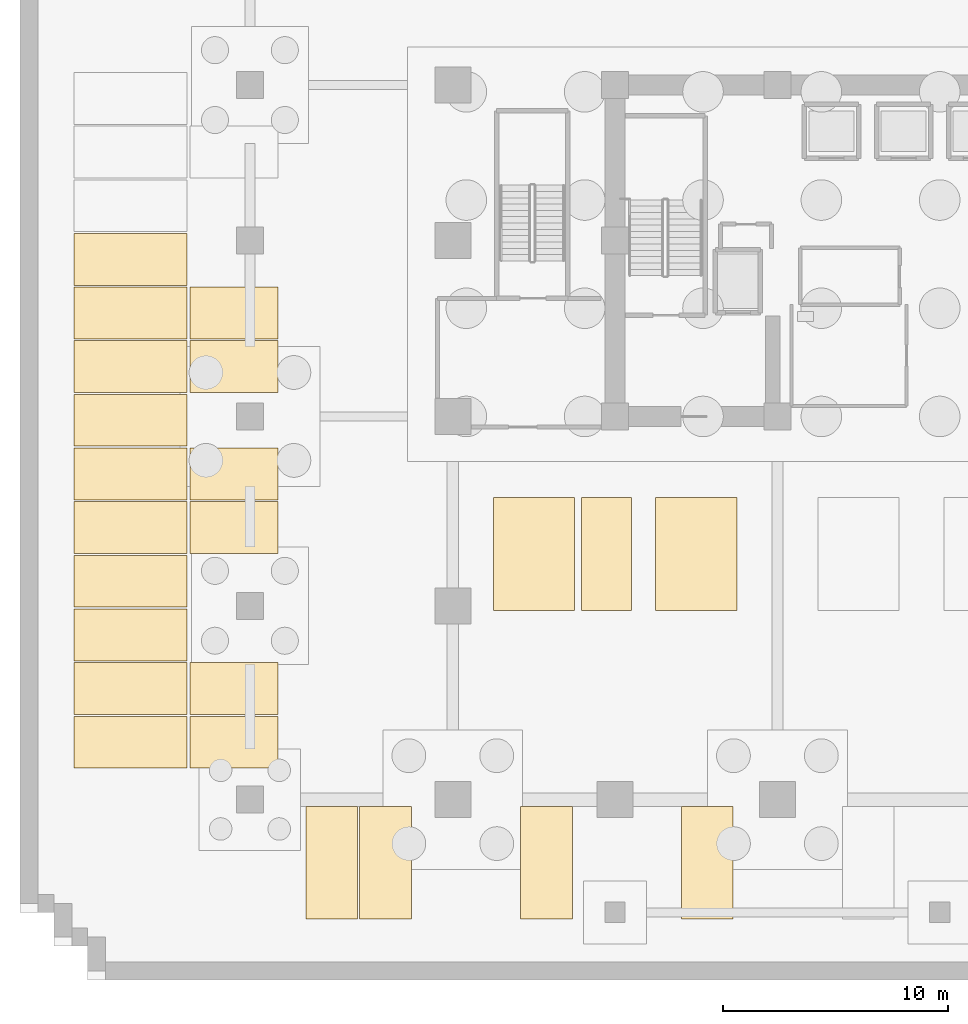
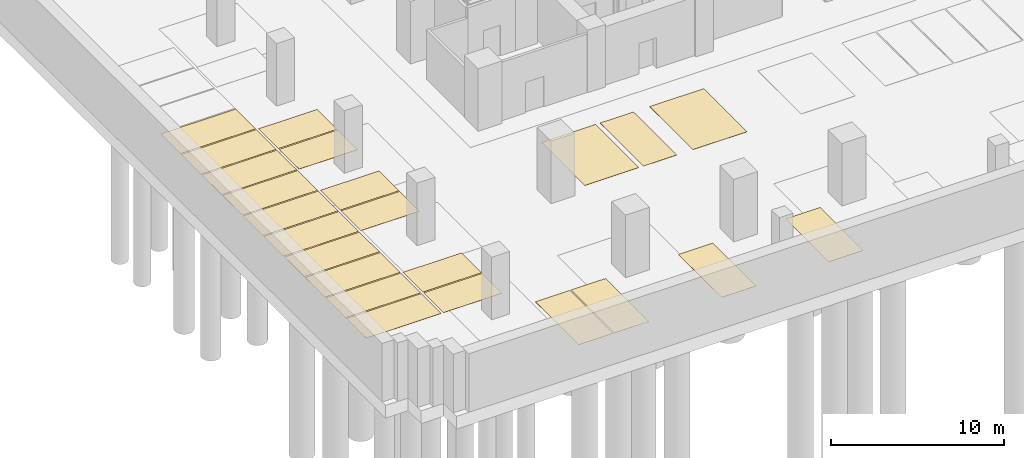
# One storey, part 7 of 13: 23 coverings.
"""IFC4 building model written with IfcOpenShell, lengths in metres."""

from ifc_helpers import new_model, si_unit, direction, frame, origin, place, context, subcontext, project, spatial, polyline, outline, extrude, material, layer, layer_set, type_object, element, save


model = new_model("IFC4")

# Units and contexts
model_context = context("Model", 3, precision=1e-05, world=origin(), true_north=direction((0.0, 1.0)))
body_context = subcontext(model_context, "Body", "Model", "MODEL_VIEW")
ifc_project = project(units=[si_unit("LENGTHUNIT", "METRE"), si_unit("AREAUNIT", "SQUARE_METRE"), si_unit("VOLUMEUNIT", "CUBIC_METRE"), si_unit("PLANEANGLEUNIT", "RADIAN"), si_unit("MASSUNIT", "GRAM", prefix="KILO")], contexts=[model_context])

# Site, building, storey
site_placement = place(None, origin())
site = spatial("IfcSite", under=ifc_project, at=site_placement, CompositionType="ELEMENT")
building_placement = place(site_placement, origin())
building = spatial("IfcBuilding", under=site, at=building_placement, Name="Zarnakvel Exchange Tower", CompositionType="ELEMENT")
storey_placement = place(building_placement, frame((0.0, 0.0, -13.199951171875)))
storey = spatial("IfcBuildingStorey", under=building, at=storey_placement, Name="B03", CompositionType="ELEMENT", Elevation=-13.199951171875)

# Coverings
ifc_material = material(Name="Thermoplastic Acrylic Bay Marking", Category="finish")
ifc_layer_1 = layer(ifc_material, 0.010009765625)
ifc_layer_set_1 = layer_set([ifc_layer_1], Name="Thermoplastic Acrylic Bay Marking")
covering_type_1 = type_object("IfcCoveringType", Name="MK-01", PredefinedType="FLOORING", material=ifc_layer_set_1)
covering_1_placement = place(storey_placement, origin())
element("IfcCovering", 1, at=covering_1_placement, inside=storey, type_object=covering_type_1, Name="B03 Standard Parking Bay Marking B03-04", PredefinedType="FLOORING", context=body_context, shape_type="SweptSolid", body=[
    extrude(outline(polyline([(-28.1201171875, -23.5), (-25.820068359375, -23.5), (-25.820068359375, -18.5), (-28.1201171875, -18.5), (-28.1201171875, -23.5)])), origin(), (0.0, 0.0, 1.0), 0.010009765625),
])
covering_2_placement = place(storey_placement, origin())
element("IfcCovering", 2, at=covering_2_placement, inside=storey, type_object=covering_type_1, Name="B03 Standard Parking Bay Marking B03-05", PredefinedType="FLOORING", context=body_context, shape_type="SweptSolid", body=[
    extrude(outline(polyline([(-25.739990234375, -23.5), (-23.43994140625, -23.5), (-23.43994140625, -18.5), (-25.739990234375, -18.5), (-25.739990234375, -23.5)])), origin(), (0.0, 0.0, 1.0), 0.010009765625),
])
covering_3_placement = place(storey_placement, origin())
element("IfcCovering", 3, at=covering_3_placement, inside=storey, type_object=covering_type_1, Name="B03 Standard Parking Bay Marking B03-06", PredefinedType="FLOORING", context=body_context, shape_type="SweptSolid", body=[
    extrude(outline(polyline([(-18.60009765625, -23.5), (-16.300048828125, -23.5), (-16.300048828125, -18.5), (-18.60009765625, -18.5), (-18.60009765625, -23.5)])), origin(), (0.0, 0.0, 1.0), 0.010009765625),
])
covering_4_placement = place(storey_placement, origin())
element("IfcCovering", 4, at=covering_4_placement, inside=storey, type_object=covering_type_1, Name="B03 Standard Parking Bay Marking B03-07", PredefinedType="FLOORING", context=body_context, shape_type="SweptSolid", body=[
    extrude(outline(polyline([(-11.4599609375, -23.5), (-9.159912109375, -23.5), (-9.159912109375, -18.5), (-11.4599609375, -18.5), (-11.4599609375, -23.5)])), origin(), (0.0, 0.0, 1.0), 0.010009765625),
])
covering_5_placement = place(storey_placement, origin())
element("IfcCovering", 5, at=covering_5_placement, inside=storey, type_object=covering_type_1, Name="B03 Standard Parking Bay Marking B03-14", PredefinedType="FLOORING", context=body_context, shape_type="SweptSolid", body=[
    extrude(outline(polyline([(-15.89990234375, -9.800048828125), (-13.679931640625, -9.800048828125), (-13.679931640625, -4.800048828125), (-15.89990234375, -4.800048828125), (-15.89990234375, -9.800048828125)])), origin(), (0.0, 0.0, 1.0), 0.010009765625),
])
covering_6_placement = place(storey_placement, origin())
element("IfcCovering", 6, at=covering_6_placement, inside=storey, type_object=covering_type_1, Name="B03 Standard Parking Bay Marking B03-23", PredefinedType="FLOORING", context=body_context, shape_type="SweptSolid", body=[
    extrude(outline(polyline([(-38.39990234375, -16.800048828125), (-33.39990234375, -16.800048828125), (-33.39990234375, -14.5), (-38.39990234375, -14.5), (-38.39990234375, -16.800048828125)])), origin(), (0.0, 0.0, 1.0), 0.010009765625),
])
covering_7_placement = place(storey_placement, origin())
element("IfcCovering", 7, at=covering_7_placement, inside=storey, type_object=covering_type_1, Name="B03 Standard Parking Bay Marking B03-24", PredefinedType="FLOORING", context=body_context, shape_type="SweptSolid", body=[
    extrude(outline(polyline([(-38.39990234375, -14.419921875), (-33.39990234375, -14.419921875), (-33.39990234375, -12.1201171875), (-38.39990234375, -12.1201171875), (-38.39990234375, -14.419921875)])), origin(), (0.0, 0.0, 1.0), 0.010009765625),
])
covering_8_placement = place(storey_placement, origin())
element("IfcCovering", 8, at=covering_8_placement, inside=storey, type_object=covering_type_1, Name="B03 Standard Parking Bay Marking B03-25", PredefinedType="FLOORING", context=body_context, shape_type="SweptSolid", body=[
    extrude(outline(polyline([(-38.39990234375, -12.0400390625), (-33.39990234375, -12.0400390625), (-33.39990234375, -9.739990234375), (-38.39990234375, -9.739990234375), (-38.39990234375, -12.0400390625)])), origin(), (0.0, 0.0, 1.0), 0.010009765625),
])
covering_9_placement = place(storey_placement, origin())
element("IfcCovering", 9, at=covering_9_placement, inside=storey, type_object=covering_type_1, Name="B03 Standard Parking Bay Marking B03-26", PredefinedType="FLOORING", context=body_context, shape_type="SweptSolid", body=[
    extrude(outline(polyline([(-38.39990234375, -9.659912109375), (-33.39990234375, -9.659912109375), (-33.39990234375, -7.360107421875), (-38.39990234375, -7.360107421875), (-38.39990234375, -9.659912109375)])), origin(), (0.0, 0.0, 1.0), 0.010009765625),
])
covering_10_placement = place(storey_placement, origin())
element("IfcCovering", 10, at=covering_10_placement, inside=storey, type_object=covering_type_1, Name="B03 Standard Parking Bay Marking B03-27", PredefinedType="FLOORING", context=body_context, shape_type="SweptSolid", body=[
    extrude(outline(polyline([(-38.39990234375, -7.280029296875), (-33.39990234375, -7.280029296875), (-33.39990234375, -4.97998046875), (-38.39990234375, -4.97998046875), (-38.39990234375, -7.280029296875)])), origin(), (0.0, 0.0, 1.0), 0.010009765625),
])
covering_11_placement = place(storey_placement, origin())
element("IfcCovering", 11, at=covering_11_placement, inside=storey, type_object=covering_type_1, Name="B03 Standard Parking Bay Marking B03-28", PredefinedType="FLOORING", context=body_context, shape_type="SweptSolid", body=[
    extrude(outline(polyline([(-38.39990234375, -4.89990234375), (-33.39990234375, -4.89990234375), (-33.39990234375, -2.60009765625), (-38.39990234375, -2.60009765625), (-38.39990234375, -4.89990234375)])), origin(), (0.0, 0.0, 1.0), 0.010009765625),
])
covering_12_placement = place(storey_placement, origin())
element("IfcCovering", 12, at=covering_12_placement, inside=storey, type_object=covering_type_1, Name="B03 Standard Parking Bay Marking B03-29", PredefinedType="FLOORING", context=body_context, shape_type="SweptSolid", body=[
    extrude(outline(polyline([(-38.39990234375, -2.52001953125), (-33.39990234375, -2.52001953125), (-33.39990234375, -0.219970703125), (-38.39990234375, -0.219970703125), (-38.39990234375, -2.52001953125)])), origin(), (0.0, 0.0, 1.0), 0.010009765625),
])
covering_13_placement = place(storey_placement, origin())
element("IfcCovering", 13, at=covering_13_placement, inside=storey, type_object=covering_type_1, Name="B03 Standard Parking Bay Marking B03-30", PredefinedType="FLOORING", context=body_context, shape_type="SweptSolid", body=[
    extrude(outline(polyline([(-38.39990234375, -0.139892578125), (-33.39990234375, -0.139892578125), (-33.39990234375, 2.159912109375), (-38.39990234375, 2.159912109375), (-38.39990234375, -0.139892578125)])), origin(), (0.0, 0.0, 1.0), 0.010009765625),
])
covering_14_placement = place(storey_placement, origin())
element("IfcCovering", 14, at=covering_14_placement, inside=storey, type_object=covering_type_1, Name="B03 Standard Parking Bay Marking B03-31", PredefinedType="FLOORING", context=body_context, shape_type="SweptSolid", body=[
    extrude(outline(polyline([(-38.39990234375, 2.239990234375), (-33.39990234375, 2.239990234375), (-33.39990234375, 4.5400390625), (-38.39990234375, 4.5400390625), (-38.39990234375, 2.239990234375)])), origin(), (0.0, 0.0, 1.0), 0.010009765625),
])
covering_15_placement = place(storey_placement, origin())
element("IfcCovering", 15, at=covering_15_placement, inside=storey, type_object=covering_type_1, Name="B03 Standard Parking Bay Marking B03-32", PredefinedType="FLOORING", context=body_context, shape_type="SweptSolid", body=[
    extrude(outline(polyline([(-38.39990234375, 4.6201171875), (-33.39990234375, 4.6201171875), (-33.39990234375, 6.919921875), (-38.39990234375, 6.919921875), (-38.39990234375, 4.6201171875)])), origin(), (0.0, 0.0, 1.0), 0.010009765625),
])
covering_16_placement = place(storey_placement, origin())
element("IfcCovering", 16, at=covering_16_placement, inside=storey, type_object=covering_type_1, Name="B03 Standard Parking Bay Marking B03-38", PredefinedType="FLOORING", context=body_context, shape_type="SweptSolid", body=[
    extrude(outline(polyline([(-33.25, -16.800048828125), (-29.35009765625, -16.800048828125), (-29.35009765625, -14.5), (-33.25, -14.5), (-33.25, -16.800048828125)])), origin(), (0.0, 0.0, 1.0), 0.010009765625),
])
covering_17_placement = place(storey_placement, origin())
element("IfcCovering", 17, at=covering_17_placement, inside=storey, type_object=covering_type_1, Name="B03 Standard Parking Bay Marking B03-39", PredefinedType="FLOORING", context=body_context, shape_type="SweptSolid", body=[
    extrude(outline(polyline([(-33.25, -14.419921875), (-29.35009765625, -14.419921875), (-29.35009765625, -12.1201171875), (-33.25, -12.1201171875), (-33.25, -14.419921875)])), origin(), (0.0, 0.0, 1.0), 0.010009765625),
])
covering_18_placement = place(storey_placement, origin())
element("IfcCovering", 18, at=covering_18_placement, inside=storey, type_object=covering_type_1, Name="B03 Standard Parking Bay Marking B03-40", PredefinedType="FLOORING", context=body_context, shape_type="SweptSolid", body=[
    extrude(outline(polyline([(-33.25, -7.280029296875), (-29.35009765625, -7.280029296875), (-29.35009765625, -4.97998046875), (-33.25, -4.97998046875), (-33.25, -7.280029296875)])), origin(), (0.0, 0.0, 1.0), 0.010009765625),
])
covering_19_placement = place(storey_placement, origin())
element("IfcCovering", 19, at=covering_19_placement, inside=storey, type_object=covering_type_1, Name="B03 Standard Parking Bay Marking B03-41", PredefinedType="FLOORING", context=body_context, shape_type="SweptSolid", body=[
    extrude(outline(polyline([(-33.25, -4.89990234375), (-29.35009765625, -4.89990234375), (-29.35009765625, -2.60009765625), (-33.25, -2.60009765625), (-33.25, -4.89990234375)])), origin(), (0.0, 0.0, 1.0), 0.010009765625),
])
covering_20_placement = place(storey_placement, origin())
element("IfcCovering", 20, at=covering_20_placement, inside=storey, type_object=covering_type_1, Name="B03 Standard Parking Bay Marking B03-42", PredefinedType="FLOORING", context=body_context, shape_type="SweptSolid", body=[
    extrude(outline(polyline([(-33.25, -0.139892578125), (-29.35009765625, -0.139892578125), (-29.35009765625, 2.159912109375), (-33.25, 2.159912109375), (-33.25, -0.139892578125)])), origin(), (0.0, 0.0, 1.0), 0.010009765625),
])
covering_21_placement = place(storey_placement, origin())
element("IfcCovering", 21, at=covering_21_placement, inside=storey, type_object=covering_type_1, Name="B03 Standard Parking Bay Marking B03-43", PredefinedType="FLOORING", context=body_context, shape_type="SweptSolid", body=[
    extrude(outline(polyline([(-33.25, 2.239990234375), (-29.35009765625, 2.239990234375), (-29.35009765625, 4.5400390625), (-33.25, 4.5400390625), (-33.25, 2.239990234375)])), origin(), (0.0, 0.0, 1.0), 0.010009765625),
])
ifc_layer_2 = layer(ifc_material, 0.010009765625)
ifc_layer_set_2 = layer_set([ifc_layer_2], Name="Thermoplastic Acrylic Bay Marking")
covering_type_2 = type_object("IfcCoveringType", Name="MK-02", PredefinedType="FLOORING", material=ifc_layer_set_2)
covering_22_placement = place(storey_placement, origin())
element("IfcCovering", 22, at=covering_22_placement, inside=storey, type_object=covering_type_2, Name="B03 Accessible Parking Bay Marking OKU-01", PredefinedType="FLOORING", context=body_context, shape_type="SweptSolid", body=[
    extrude(outline(polyline([(-19.800048828125, -9.800048828125), (-16.199951171875, -9.800048828125), (-16.199951171875, -4.800048828125), (-19.800048828125, -4.800048828125), (-19.800048828125, -9.800048828125)])), origin(), (0.0, 0.0, 1.0), 0.010009765625),
])
covering_23_placement = place(storey_placement, origin())
element("IfcCovering", 23, at=covering_23_placement, inside=storey, type_object=covering_type_2, Name="B03 Accessible Parking Bay Marking OKU-02", PredefinedType="FLOORING", context=body_context, shape_type="SweptSolid", body=[
    extrude(outline(polyline([(-12.60009765625, -9.800048828125), (-9.0, -9.800048828125), (-9.0, -4.800048828125), (-12.60009765625, -4.800048828125), (-12.60009765625, -9.800048828125)])), origin(), (0.0, 0.0, 1.0), 0.010009765625),
])

save(model, "model.ifc")
